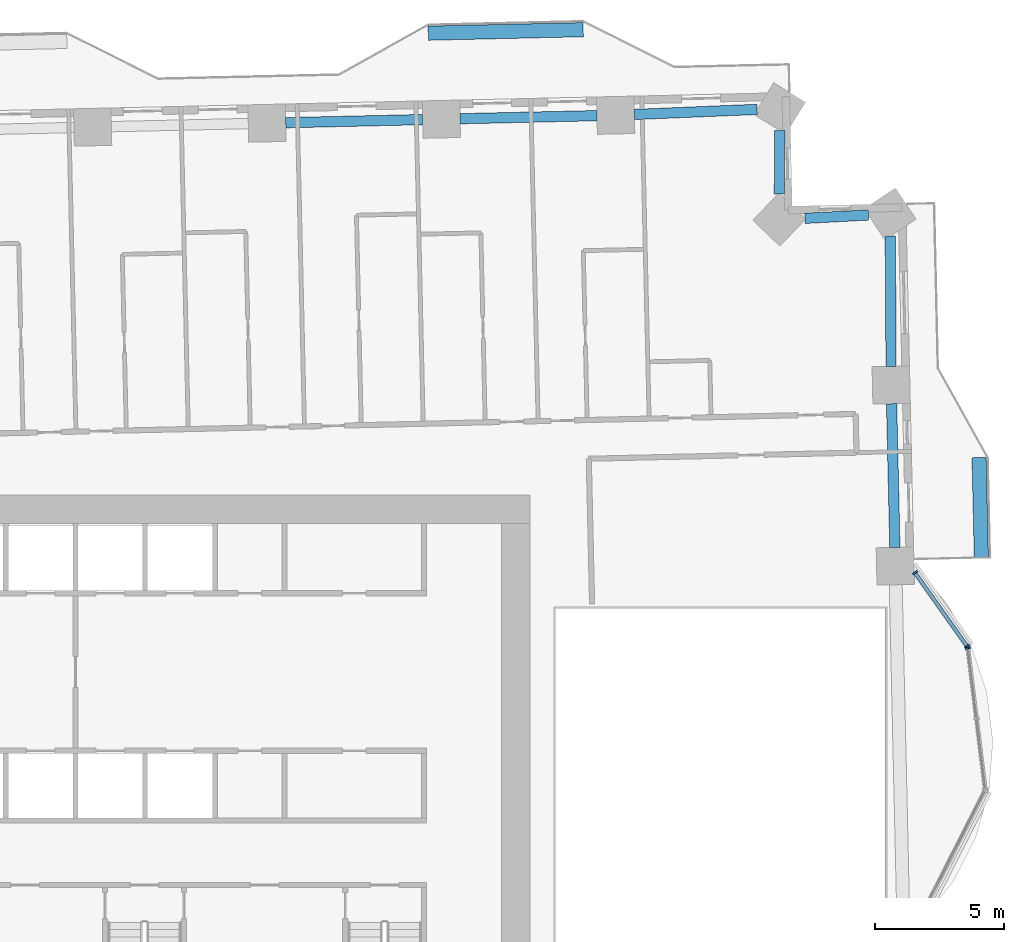
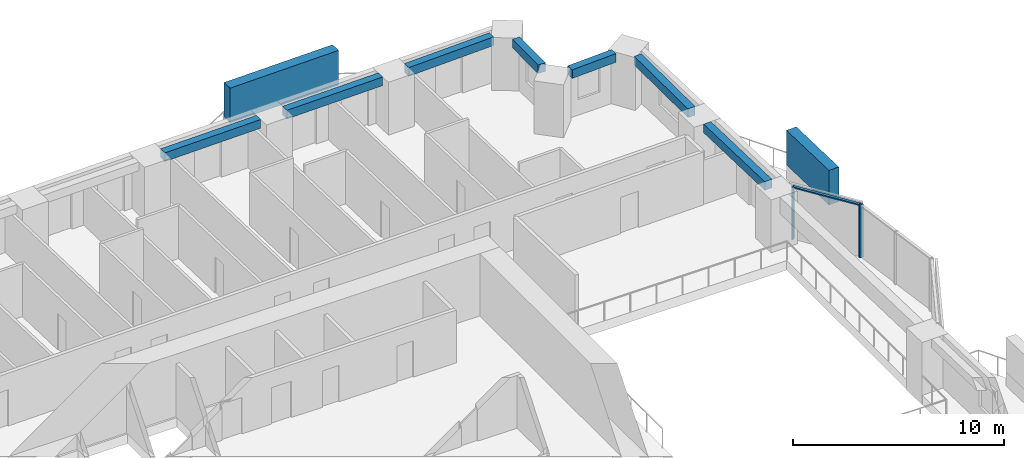
# One storey, part 4 of 17: 7 beams, 6 members, 2 elements without a shape of their own.
"""IFC4 building model written with IfcOpenShell, lengths in metres."""

import ifcopenshell
import ifcopenshell.guid

model = None  # the IFC model being written
_history = None  # IfcOwnerHistory: only IFC2X3 demands one
_inside = {}  # id of a spatial element -> (the spatial element, [elements in it])
_under = {}  # id of a project, library or spatial element -> (it, [spatial elements below it])
_declared = {}  # id of a project -> (the project, [libraries it declares])
_typed = {}  # id of a type object -> (the type object, [elements of that type])
_made_of = {}  # id of a material, layer set ... -> (it, [elements and type objects made of it])


def new_model(schema):
    """Start an empty IFC model of exactly this schema.

    Asked for "IFC4X3", IfcOpenShell would pick the latest addendum, in which some entities
    have other attributes; the version numbers below select the first issue.
    IFC2X3 requires an IfcOwnerHistory on every rooted entity: one is made here for all.
    """
    global model, _history
    if schema == "IFC4X3":
        model = ifcopenshell.file(schema_version=(4, 3, 0, 0))
    else:
        model = ifcopenshell.file(schema=schema)
    _inside.clear()
    _under.clear()
    _declared.clear()
    _typed.clear()
    _made_of.clear()
    _history = None
    if model.schema == "IFC2X3":
        org = make("IfcOrganization", Name="unknown")
        user = make(
            "IfcPersonAndOrganization",
            ThePerson=make("IfcPerson", FamilyName="unknown"),
            TheOrganization=org,
        )
        app = make(
            "IfcApplication",
            ApplicationDeveloper=org,
            Version="unknown",
            ApplicationFullName="unknown",
            ApplicationIdentifier="unknown",
        )
        _history = make(
            "IfcOwnerHistory",
            OwningUser=user,
            OwningApplication=app,
            ChangeAction="ADDED",
            CreationDate=0,
        )
    return model


def make(cls, **values):
    """One entity of the class cls with the attributes given. An attribute that is None is left unset."""
    return model.create_entity(
        cls, **{name: value for name, value in values.items() if value is not None}
    )


def rooted(cls, **values):
    """An entity with a GlobalId (a new one), such as an element, a storey or a relation."""
    return make(cls, GlobalId=ifcopenshell.guid.new(), OwnerHistory=_history, **values)


def si_unit(unit_type, name, prefix=None):
    """IfcSIUnit, for example si_unit("LENGTHUNIT", "METRE", prefix="MILLI")."""
    return make("IfcSIUnit", UnitType=unit_type, Prefix=prefix, Name=name)


def assignment(units):
    """IfcUnitAssignment: the units of a project."""
    return None if units is None else make("IfcUnitAssignment", Units=units)


def point(xyz):
    """IfcCartesianPoint."""
    return None if xyz is None else make("IfcCartesianPoint", Coordinates=xyz)


def direction(xyz):
    """IfcDirection."""
    return None if xyz is None else make("IfcDirection", DirectionRatios=xyz)


def frame(location, z_axis=None, x_axis=None):
    """IfcAxis2Placement3D, a coordinate frame: its origin and axes. An axis left out is left unset."""
    return make(
        "IfcAxis2Placement3D",
        Location=point(location),
        Axis=direction(z_axis),
        RefDirection=direction(x_axis),
    )


def frame_2d(location, x_axis=None):
    """IfcAxis2Placement2D, a coordinate frame in the plane: its origin and x axis."""
    return make(
        "IfcAxis2Placement2D", Location=point(location), RefDirection=direction(x_axis)
    )


def origin():
    """The frame at (0, 0, 0) with its axes left unset."""
    return frame((0.0, 0.0, 0.0))


def origin_2d():
    """The frame at (0, 0) in the plane with its x axis left unset."""
    return frame_2d((0.0, 0.0))


def place(relative_to, where):
    """IfcLocalPlacement: puts the frame where relative to a parent placement (None: the world)."""
    return make(
        "IfcLocalPlacement", PlacementRelTo=relative_to, RelativePlacement=where
    )


def context(
    kind, dimensions, precision=None, world=None, true_north=None, identifier=None
):
    """IfcGeometricRepresentationContext, for example the 3D "Model" context."""
    return make(
        "IfcGeometricRepresentationContext",
        ContextIdentifier=identifier,
        ContextType=kind,
        CoordinateSpaceDimension=dimensions,
        Precision=precision,
        WorldCoordinateSystem=world,
        TrueNorth=true_north,
    )


def subcontext(parent, identifier, kind, view, scale=None):
    """IfcGeometricRepresentationSubContext, for example "Body" below "Model"."""
    return make(
        "IfcGeometricRepresentationSubContext",
        ContextIdentifier=identifier,
        ContextType=kind,
        ParentContext=parent,
        TargetScale=scale,
        TargetView=view,
    )


def project(units=None, contexts=None):
    """IfcProject with its units and contexts."""
    return rooted(
        "IfcProject",
        Name="project",
        RepresentationContexts=contexts,
        UnitsInContext=assignment(units),
    )


def spatial(cls, under=None, at=None, **own):
    """A site, building, storey or space (cls), placed at a placement, below another one or the project."""
    s = rooted(cls, ObjectPlacement=at, **own)
    if under is not None:
        _under.setdefault(under.id(), (under, []))[1].append(s)
    return s


def profile(cls, at=None, kind="AREA", **sizes):
    """A parametric profile (cls). Its sizes go by their IFC names, for example OverallWidth=200.0."""
    return make(cls, ProfileType=kind, Position=at, **sizes)


def rectangle(**sizes):
    """IfcRectangleProfileDef."""
    return profile("IfcRectangleProfileDef", **sizes)


def extrude(swept, where, along, depth):
    """IfcExtrudedAreaSolid: the profile swept, set in the frame where, extruded along a direction by depth."""
    return make(
        "IfcExtrudedAreaSolid",
        SweptArea=swept,
        Position=where,
        ExtrudedDirection=direction(along),
        Depth=depth,
    )


def shape(context_of_items, identifier, shape_type, items):
    """IfcShapeRepresentation: the items that make up one representation, for example the "Body"."""
    return make(
        "IfcShapeRepresentation",
        ContextOfItems=context_of_items,
        RepresentationIdentifier=identifier,
        RepresentationType=shape_type,
        Items=items,
    )


def material(Name=None, Category=None):
    """IfcMaterial."""
    return make("IfcMaterial", Name=Name, Category=Category)


def material_profile(
    of_material, cross_section, Name=None, Category=None, Priority=None
):
    """IfcMaterialProfile: a cross section and its material."""
    return make(
        "IfcMaterialProfile",
        Name=Name,
        Material=of_material,
        Profile=cross_section,
        Priority=Priority,
        Category=Category,
    )


def profile_set(profiles, Name=None, composite=None):
    """IfcMaterialProfileSet."""
    return make(
        "IfcMaterialProfileSet",
        Name=Name,
        MaterialProfiles=profiles,
        CompositeProfile=composite,
    )


def made_of(thing, what):
    """Note that an element or type object is made of a material, layer set ...; save() writes the relation."""
    if what is not None:
        _made_of.setdefault(what.id(), (what, []))[1].append(thing)
    return thing


def type_object(cls, material=None, **own):
    """A type object (cls), such as IfcWallType, which elements share."""
    return made_of(rooted(cls, **own), material)


def element(
    cls,
    number,
    at=None,
    inside=None,
    cuts=None,
    type_object=None,
    material=None,
    context=None,
    identifier="Body",
    shape_type=None,
    held_by="IfcProductDefinitionShape",
    body=None,
    shapes=None,
    **own,
):
    """One element of the class cls, such as IfcWall. Its Tag is "e" and its number.

    at: its placement. inside: the storey or other place that contains it. cuts: it is an
    opening in that element (IfcRelVoidsElement). A single representation is given by context,
    identifier, shape_type and body (its items); several are given by shapes. held_by: the class
    of the entity that holds the representations. save() writes the other relations.
    """
    e = rooted(cls, Tag="e%d" % number, ObjectPlacement=at, **own)
    if body is not None:
        shapes = [shape(context, identifier, shape_type, body)]
    if shapes is not None:
        e.Representation = make(held_by, Representations=shapes)
    if inside is not None:
        _inside.setdefault(inside.id(), (inside, []))[1].append(e)
    if cuts is not None:
        rooted(
            "IfcRelVoidsElement", RelatingBuildingElement=cuts, RelatedOpeningElement=e
        )
    if type_object is not None:
        _typed.setdefault(type_object.id(), (type_object, []))[1].append(e)
    return made_of(e, material)


def aggregate(whole, parts):
    """IfcRelAggregates: a whole, such as a stair, and the parts it consists of."""
    return rooted("IfcRelAggregates", RelatingObject=whole, RelatedObjects=parts)


def save(model, path):
    """Write the relations noted so far, then the file.

    IfcRelAggregates (storeys below a building ...), IfcRelContainedInSpatialStructure (elements
    in a storey), IfcRelDefinesByType, IfcRelAssociatesMaterial and IfcRelDeclares: one each for
    every whole, place, type object, material and project.
    """
    for whole, parts in _under.values():
        aggregate(whole, parts)
    for where, things in _inside.values():
        rooted(
            "IfcRelContainedInSpatialStructure",
            RelatedElements=things,
            RelatingStructure=where,
        )
    for kind, things in _typed.values():
        rooted("IfcRelDefinesByType", RelatedObjects=things, RelatingType=kind)
    for what, things in _made_of.values():
        rooted("IfcRelAssociatesMaterial", RelatedObjects=things, RelatingMaterial=what)
    for by, libraries in _declared.values():
        rooted("IfcRelDeclares", RelatingContext=by, RelatedDefinitions=libraries)
    model.write(path)


model = new_model("IFC4")

# Units and contexts
model_context = context("Model", 3, precision=1e-05, world=origin(), true_north=direction((0.0, 1.0)))
body_context = subcontext(model_context, "Body", "Model", "MODEL_VIEW")
ifc_project = project(units=[si_unit("LENGTHUNIT", "METRE"), si_unit("AREAUNIT", "SQUARE_METRE"), si_unit("VOLUMEUNIT", "CUBIC_METRE"), si_unit("PLANEANGLEUNIT", "RADIAN"), si_unit("MASSUNIT", "GRAM", prefix="KILO")], contexts=[model_context])

# Site, building, storey
site_placement = place(None, origin())
site = spatial("IfcSite", under=ifc_project, at=site_placement, CompositionType="ELEMENT")
building_placement = place(site_placement, origin())
building = spatial("IfcBuilding", under=site, at=building_placement, Name="Mangrove Gate Tower", CompositionType="ELEMENT")
storey_placement = place(building_placement, frame((0.0, 0.0, 79.300048828125)))
storey = spatial("IfcBuildingStorey", under=building, at=storey_placement, Name="L19", CompositionType="ELEMENT", Elevation=79.300048828125)

# Curtain wall, member
ifc_material_1 = material(Name="Aluminium and glass curtain wall", Category="aluminium")
curtain_wall_type = type_object("IfcCurtainWallType", Name="Atrium garden-court glazing wall", PredefinedType="NOTDEFINED", material=ifc_material_1)
curtain_wall_1_placement = place(storey_placement, origin())
curtain_wall_1 = element("IfcCurtainWall", 1, at=curtain_wall_1_placement, inside=storey, type_object=curtain_wall_type, Name="Atrium garden-court glazing E1f2", PredefinedType="NOTDEFINED")
ifc_material_2 = material(Name="Aluminium alloy 6063-T6", Category="aluminium")
ifc_material_profile_1 = material_profile(ifc_material_2, rectangle(XDim=0.070068359375, YDim=0.199951171875, at=origin_2d()))
ifc_profile_set_1 = profile_set([ifc_material_profile_1], Name="Aluminium alloy 6063-T6")
member_type_1 = type_object("IfcMemberType", Name="Atrium garden-court glazing mullion 70x200", PredefinedType="MULLION", material=ifc_profile_set_1)
member_1_placement = place(storey_placement, frame((31.85546875, 5.97509765625, 0.0), z_axis=(0.0, 0.0, 1.0), x_axis=(-0.122172286076, 0.992508908028, 0.0)))
member_1 = element("IfcMember", 2, at=member_1_placement, type_object=member_type_1, Name="CWA mullion 3", PredefinedType="MULLION", context=body_context, shape_type="SweptSolid", body=[
    extrude(rectangle(XDim=0.070068359375, YDim=0.199951171875, at=origin_2d()), origin(), (0.0, 0.0, 1.0), 3.050048828125),
])
aggregate(curtain_wall_1, [member_1])

# Curtain wall, members
curtain_wall_2_placement = place(storey_placement, origin())
curtain_wall_2 = element("IfcCurtainWall", 3, at=curtain_wall_2_placement, inside=storey, type_object=curtain_wall_type, Name="Atrium garden-court glazing E1f3", PredefinedType="NOTDEFINED")
member_2_placement = place(storey_placement, frame((31.8310546875, 6.038330078125, 0.0), z_axis=(0.0, 0.0, 1.0), x_axis=(-0.578109291006, 0.815959341911, 0.0)))
member_2 = element("IfcMember", 4, at=member_2_placement, type_object=member_type_1, Name="CWA mullion 1", PredefinedType="MULLION", context=body_context, shape_type="SweptSolid", body=[
    extrude(rectangle(XDim=0.070068359375, YDim=0.199951171875, at=origin_2d()), origin(), (0.0, 0.0, 1.0), 3.050048828125),
])
member_3_placement = place(storey_placement, frame((29.808837890625, 8.892578125, 0.0), z_axis=(0.0, 0.0, 1.0), x_axis=(-0.578109291006, 0.815959341911, 0.0)))
member_3 = element("IfcMember", 5, at=member_3_placement, type_object=member_type_1, Name="CWA mullion 2", PredefinedType="MULLION", context=body_context, shape_type="SweptSolid", body=[
    extrude(rectangle(XDim=0.070068359375, YDim=0.199951171875, at=origin_2d()), origin(), (0.0, 0.0, 1.0), 3.050048828125),
])
ifc_material_3 = material(Name="Aluminium alloy 6063-T6", Category="aluminium")
ifc_material_profile_2 = material_profile(ifc_material_3, rectangle(XDim=0.070068359375, YDim=0.14990234375, at=origin_2d()))
ifc_profile_set_2 = profile_set([ifc_material_profile_2], Name="Aluminium alloy 6063-T6")
member_type_2 = type_object("IfcMemberType", Name="Atrium garden-court glazing transom 70x150", PredefinedType="USERDEFINED", material=ifc_profile_set_2)
member_4_placement = place(storey_placement, frame((31.810791015625, 6.06689453125, 3.014892578125), z_axis=(-0.578094404228, 0.815969889028, 0.0), x_axis=(0.0, 0.0, 1.0)))
member_4 = element("IfcMember", 6, at=member_4_placement, type_object=member_type_2, Name="CWA transom 1.2", ObjectType="TRANSOM", PredefinedType="USERDEFINED", context=body_context, shape_type="SweptSolid", body=[
    extrude(rectangle(XDim=0.070068359375, YDim=0.14990234375, at=origin_2d()), origin(), (0.0, 0.0, 1.0), 3.427978515625),
])
aggregate(curtain_wall_2, [member_2, member_3, member_4])

# Members
ifc_material_4 = material(Name="Planting on aluminium trellis", Category="aluminium")
ifc_material_profile_3 = material_profile(ifc_material_4, rectangle(XDim=0.550048828125, YDim=2.0, at=origin_2d()))
ifc_profile_set_3 = profile_set([ifc_material_profile_3], Name="Planting on aluminium trellis")
member_type_3 = type_object("IfcMemberType", Name="Balcony greenery screen 550x2000", PredefinedType="USERDEFINED", material=ifc_profile_set_3)
member_5_placement = place(storey_placement, frame((32.381103515625, 9.47607421875, 1.800048828125), z_axis=(-0.022744303924, 0.999741314861, 0.0), x_axis=(-0.999741314861, -0.022744303924, 0.0)))
element("IfcMember", 7, at=member_5_placement, inside=storey, type_object=member_type_3, Name="GREEN SCREEN L19 E1.1", ObjectType="PLANTING", PredefinedType="USERDEFINED", context=body_context, shape_type="SweptSolid", body=[
    extrude(rectangle(XDim=0.550048828125, YDim=2.0, at=origin_2d()), origin(), (0.0, 0.0, 1.0), 3.875),
])
member_6_placement = place(storey_placement, frame((10.964111328125, 29.784912109375, 1.800048828125), z_axis=(0.999743073592, 0.022666865795, 0.0), x_axis=(-0.022666865795, 0.999743073592, 0.0)))
element("IfcMember", 8, at=member_6_placement, inside=storey, type_object=member_type_3, Name="GREEN SCREEN L19 N0.1", ObjectType="PLANTING", PredefinedType="USERDEFINED", context=body_context, shape_type="SweptSolid", body=[
    extrude(rectangle(XDim=0.550048828125, YDim=2.0, at=origin_2d()), origin(), (0.0, 0.0, 1.0), 5.999267578125),
])

# Beams
ifc_material_5 = material(Name="Concrete C50/60", Category="concrete")
ifc_material_profile_4 = material_profile(ifc_material_5, rectangle(XDim=0.39990234375, YDim=0.5, at=origin_2d()))
ifc_profile_set_4 = profile_set([ifc_material_profile_4], Name="Concrete C50/60")
beam_type = type_object("IfcBeamType", Name="Edge beam RC 400x500 C50/60", PredefinedType="BEAM", material=ifc_profile_set_4)
beam_1_placement = place(storey_placement, frame((29.03173828125, 9.874267578125, 2.800048828125), z_axis=(-0.022689504107, 0.999742560064, 0.0), x_axis=(-0.999742560064, -0.022689504107, 0.0)))
element("IfcBeam", 9, at=beam_1_placement, inside=storey, type_object=beam_type, Name="Edge beam L19 16", PredefinedType="BEAM", context=body_context, shape_type="SweptSolid", body=[
    extrude(rectangle(XDim=0.39990234375, YDim=0.5, at=origin_2d()), origin(), (0.0, 0.0, 1.0), 5.56298828125),
])
beam_2_placement = place(storey_placement, frame((28.884765625, 16.8857421875, 2.800048828125), z_axis=(-0.005913041255, 0.999982517819, 0.0), x_axis=(-0.999982517819, -0.005913041255, 0.0)))
element("IfcBeam", 10, at=beam_2_placement, inside=storey, type_object=beam_type, Name="Edge beam L19 17", PredefinedType="BEAM", context=body_context, shape_type="SweptSolid", body=[
    extrude(rectangle(XDim=0.39990234375, YDim=0.5, at=origin_2d()), origin(), (0.0, 0.0, 1.0), 5.037109375),
])
beam_3_placement = place(storey_placement, frame((28.01025390625, 22.744140625, 2.800048828125), z_axis=(-0.998640458058, -0.052127109352, 0.0), x_axis=(0.052127109352, -0.998640458058, 0.0)))
element("IfcBeam", 11, at=beam_3_placement, inside=storey, type_object=beam_type, Name="Edge beam L19 18", PredefinedType="BEAM", context=body_context, shape_type="SweptSolid", body=[
    extrude(rectangle(XDim=0.39990234375, YDim=0.5, at=origin_2d()), origin(), (0.0, 0.0, 1.0), 2.463623046875),
])
beam_4_placement = place(storey_placement, frame((24.5595703125, 23.5625, 2.800048828125), z_axis=(0.004370674455, 0.999990448557, 0.0), x_axis=(-0.999990448557, 0.004370674455, 0.0)))
element("IfcBeam", 12, at=beam_4_placement, inside=storey, type_object=beam_type, Name="Edge beam L19 19", PredefinedType="BEAM", context=body_context, shape_type="SweptSolid", body=[
    extrude(rectangle(XDim=0.39990234375, YDim=0.5, at=origin_2d()), origin(), (0.0, 0.0, 1.0), 2.457763671875),
])
beam_5_placement = place(storey_placement, frame((23.698974609375, 26.83447265625, 2.800048828125), z_axis=(-0.999148653995, -0.041254905393, 0.0), x_axis=(0.041254905393, -0.999148653995, 0.0)))
element("IfcBeam", 13, at=beam_5_placement, inside=storey, type_object=beam_type, Name="Edge beam L19 20", PredefinedType="BEAM", context=body_context, shape_type="SweptSolid", body=[
    extrude(rectangle(XDim=0.39990234375, YDim=0.5, at=origin_2d()), origin(), (0.0, 0.0, 1.0), 4.758056640625),
])
for number, where, z_axis, x_axis, name in (
    (14, (17.49560546875, 26.591796875, 2.800048828125), (-0.999743401946, -0.022652378823, 0.0), (0.022652378823, -0.999743401946, 0.0), "Edge beam L19 21"),
    (15, (10.74462890625, 26.438720703125, 2.800048828125), (-0.999743401946, -0.022652378823, 0.0), (0.022652378823, -0.999743401946, 0.0), "Edge beam L19 22"),
):
    element("IfcBeam", number, at=place(storey_placement, frame(where, z_axis=z_axis, x_axis=x_axis)), inside=storey, type_object=beam_type, Name=name, PredefinedType="BEAM", context=body_context, shape_type="SweptSolid", body=[
        extrude(rectangle(XDim=0.39990234375, YDim=0.5, at=origin_2d()), origin(), (0.0, 0.0, 1.0), 5.302734375),
    ])

save(model, "model.ifc")
